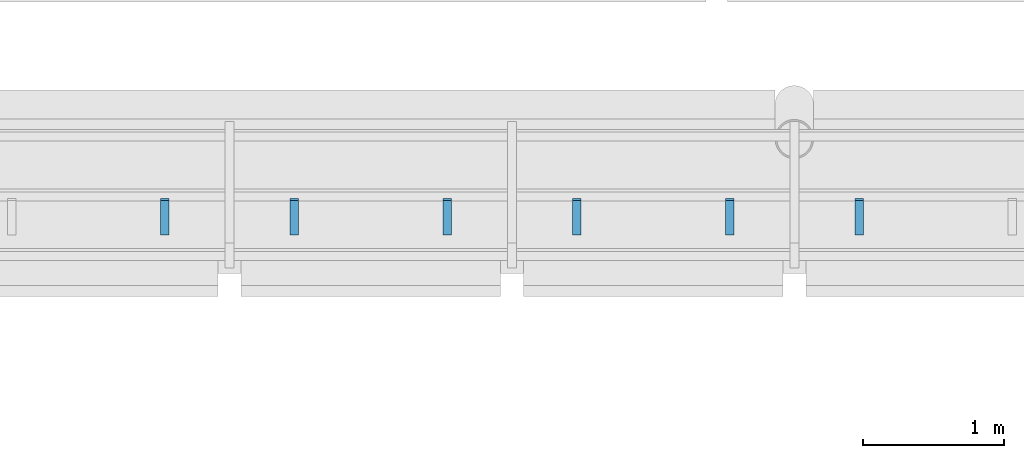
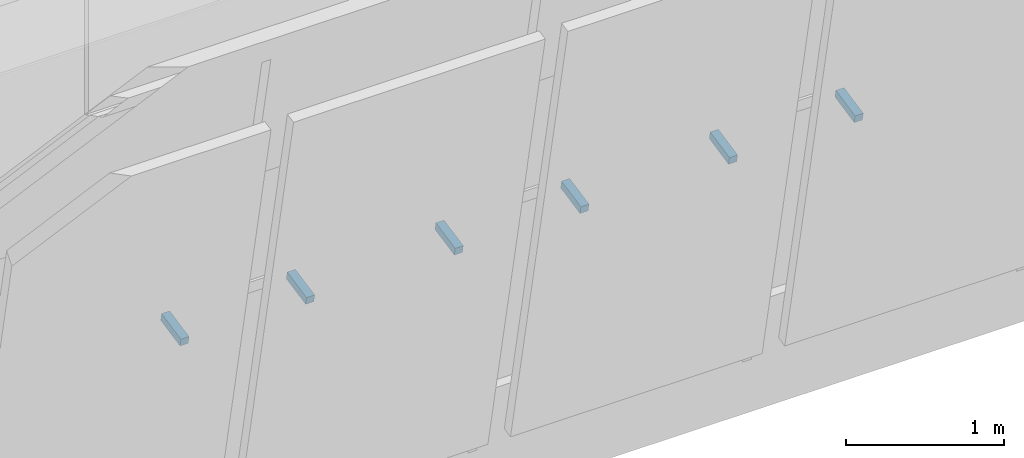
# One storey, part 62 of 95: 6 discrete accessories.
"""IFC4 building model written with IfcOpenShell, lengths in metres."""

from ifc_helpers import new_model, si_unit, direction, frame, origin, origin_2d, place, context, subcontext, project, spatial, rectangle, extrude, element, save


model = new_model("IFC4")

# Units and contexts
model_context = context("Model", 3, precision=1e-05, world=origin(), true_north=direction((0.0, 1.0)))
body_context = subcontext(model_context, "Body", "Model", "MODEL_VIEW")
ifc_project = project(units=[si_unit("LENGTHUNIT", "METRE"), si_unit("AREAUNIT", "SQUARE_METRE"), si_unit("VOLUMEUNIT", "CUBIC_METRE"), si_unit("PLANEANGLEUNIT", "RADIAN"), si_unit("MASSUNIT", "GRAM", prefix="KILO")], contexts=[model_context])

# Site, building, storey
site_placement = place(None, origin())
site = spatial("IfcSite", under=ifc_project, at=site_placement, CompositionType="ELEMENT")
building_placement = place(site_placement, origin())
building = spatial("IfcBuilding", under=site, at=building_placement, Name="Windward Yard Aquatics Centre", CompositionType="ELEMENT")
storey_placement = place(building_placement, frame((0.0, 0.0, 9.39990234375)))
storey = spatial("IfcBuildingStorey", under=building, at=storey_placement, Name="L02", CompositionType="ELEMENT", Elevation=9.39990234375)

# Discrete accessories
for number, where, z_axis, x_axis, name in (
    (1, (127.54345703125, 24.732421875, 2.11865234375), (0.0, -0.979936662274, -0.199309151649), (1.0, 0.0, 0.0), "Louvre bracket S L02 B13.2"),
    (2, (128.459716796875, 24.732421875, 2.11865234375), (0.0, -0.979936662274, -0.199309151649), (1.0, 0.0, 0.0), "Louvre bracket S L02 B14.1"),
    (3, (129.543212890625, 24.732421875, 2.11865234375), (0.0, -0.979936662274, -0.199309151649), (1.0, 0.0, 0.0), "Louvre bracket S L02 B14.2"),
    (4, (130.45947265625, 24.732421875, 2.11865234375), (0.0, -0.979936662274, -0.199309151649), (1.0, 0.0, 0.0), "Louvre bracket S L02 B15.1"),
    (5, (131.54296875, 24.732421875, 2.11865234375), (0.0, -0.979936662274, -0.199309151649), (1.0, 0.0, 0.0), "Louvre bracket S L02 B15.2"),
    (6, (132.459228515625, 24.732421875, 2.11865234375), (0.0, -0.979936662274, -0.199309151649), (1.0, 0.0, 0.0), "Louvre bracket S L02 B16.1"),
):
    element("IfcDiscreteAccessory", number, at=place(storey_placement, frame(where, z_axis=z_axis, x_axis=x_axis)), inside=storey, Name=name, PredefinedType="BRACKET", context=body_context, shape_type="SweptSolid", body=[
        extrude(rectangle(XDim=0.06005859375, YDim=0.06005859375, at=origin_2d()), origin(), (0.0, 0.0, 1.0), 0.25),
    ])

save(model, "model.ifc")
